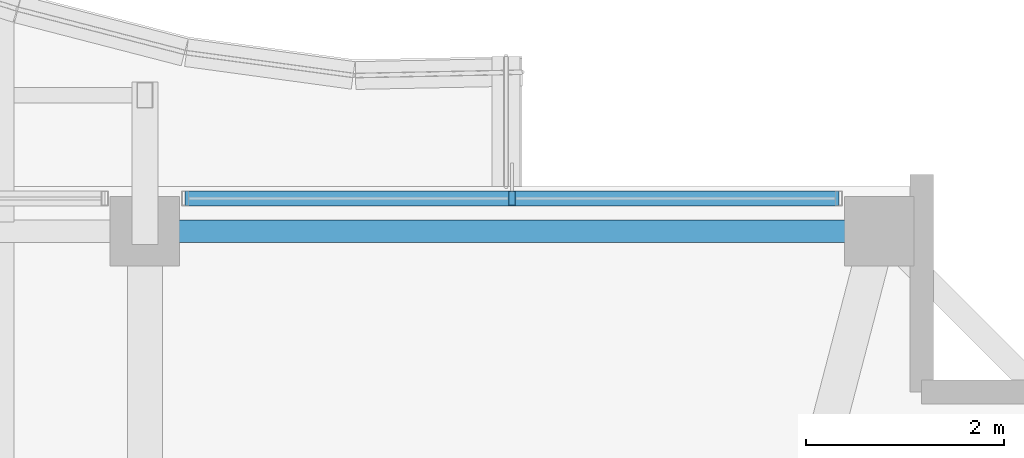
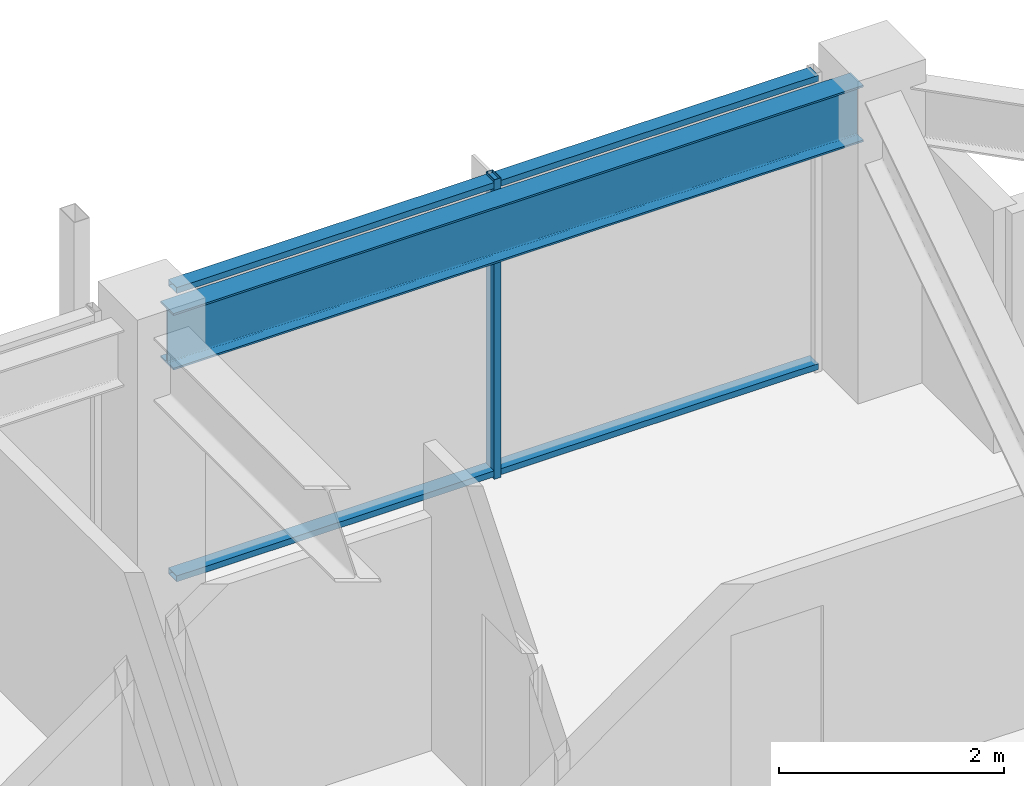
# One storey, part 18 of 34: 3 members, 1 beam, 1 element without a shape of its own.
"""IFC4 building model written with IfcOpenShell, lengths in metres."""

from ifc_helpers import new_model, si_unit, direction, frame, origin, origin_2d, place, context, subcontext, project, spatial, hollow_rectangle, i_section, extrude, material, material_profile, profile_set, type_object, element, aggregate, save


model = new_model("IFC4")

# Units and contexts
model_context = context("Model", 3, precision=1e-05, world=origin(), true_north=direction((0.0, 1.0)))
body_context = subcontext(model_context, "Body", "Model", "MODEL_VIEW")
ifc_project = project(units=[si_unit("LENGTHUNIT", "METRE"), si_unit("AREAUNIT", "SQUARE_METRE"), si_unit("VOLUMEUNIT", "CUBIC_METRE"), si_unit("PLANEANGLEUNIT", "RADIAN"), si_unit("MASSUNIT", "GRAM", prefix="KILO")], contexts=[model_context])

# Site, building, storey
site_placement = place(None, origin())
site = spatial("IfcSite", under=ifc_project, at=site_placement, CompositionType="ELEMENT")
building_placement = place(site_placement, origin())
building = spatial("IfcBuilding", under=site, at=building_placement, Name="Kolvaren Belvedere", CompositionType="ELEMENT")
storey_placement = place(building_placement, frame((0.0, 0.0, 240.89990234375)))
storey = spatial("IfcBuildingStorey", under=building, at=storey_placement, Name="L70", CompositionType="ELEMENT", Elevation=240.89990234375)

# Beam
ifc_material_1 = material(Name="Structural steel ASTM A992 Grade 50", Category="steel")
ifc_material_profile_1 = material_profile(ifc_material_1, i_section(OverallWidth=0.22900390625, OverallDepth=0.612060546875, WebThickness=0.011962890625, FlangeThickness=0.01953125, FilletRadius=0.01806640625, at=origin_2d()), Name="W24X84")
ifc_profile_set_1 = profile_set([ifc_material_profile_1], Name="Structural steel ASTM A992 Grade 50")
beam_type = type_object("IfcBeamType", Name="BM-SPAN-W24X84", PredefinedType="SPANDREL", material=ifc_profile_set_1)
beam_placement = place(storey_placement, frame((11.842529296875, 17.949951171875, 2.944091796875), z_axis=(-1.0, 0.0, 0.0), x_axis=(0.0, -1.0, 0.0)))
element("IfcBeam", 1, at=beam_placement, inside=storey, type_object=beam_type, Name="L70 Perimeter Spandrel N4-N3", PredefinedType="SPANDREL", context=body_context, shape_type="SweptSolid", body=[
    extrude(i_section(OverallWidth=0.22900390625, OverallDepth=0.612060546875, WebThickness=0.011962890625, FlangeThickness=0.01953125, FilletRadius=0.01806640625, at=origin_2d()), origin(), (0.0, 0.0, 1.0), 7.0849609375),
])

# Curtain wall, members
ifc_material_2 = material(Name="Anodised pale-metal aluminium AA 6063-T6", Category="aluminium")
curtain_wall_type = type_object("IfcCurtainWallType", Name="CW-Z5-HIGH", PredefinedType="NOTDEFINED", material=ifc_material_2)
curtain_wall_placement = place(storey_placement, origin())
curtain_wall = element("IfcCurtainWall", 2, at=curtain_wall_placement, inside=storey, type_object=curtain_wall_type, Name="L70 Unitised Curtain Wall FCW-L70-N2-B2", PredefinedType="NOTDEFINED")
ifc_material_3 = material(Name="Anodised pale-metal aluminium AA 6063-T6", Category="aluminium")
ifc_material_profile_2 = material_profile(ifc_material_3, hollow_rectangle(XDim=0.070068359375, YDim=0.14990234375, WallThickness=0.004150390625, at=origin_2d()), Name="ALU-MUL-150X70")
ifc_profile_set_2 = profile_set([ifc_material_profile_2], Name="Anodised pale-metal aluminium AA 6063-T6")
member_type_1 = type_object("IfcMemberType", Name="CW-MUL-150", PredefinedType="MULLION", material=ifc_profile_set_2)
member_1_placement = place(storey_placement, frame((8.300048828125, 18.280029296875, 0.0), z_axis=(0.0, 0.0, 1.0), x_axis=(1.0, 0.0, 0.0)))
member_1 = element("IfcMember", 3, at=member_1_placement, type_object=member_type_1, Name="FCW-L70-N2-B2 Unitised Mullion 2", PredefinedType="MULLION", context=body_context, shape_type="SweptSolid", body=[
    extrude(hollow_rectangle(XDim=0.070068359375, YDim=0.14990234375, WallThickness=0.004150390625, at=origin_2d()), origin(), (0.0, 0.0, 1.0), 3.25),
])
ifc_material_4 = material(Name="Anodised pale-metal aluminium AA 6063-T6", Category="aluminium")
ifc_material_profile_3 = material_profile(ifc_material_4, hollow_rectangle(XDim=0.06494140625, YDim=0.14990234375, WallThickness=0.00390625, at=origin_2d()), Name="ALU-TRN-150X65")
ifc_profile_set_3 = profile_set([ifc_material_profile_3], Name="Anodised pale-metal aluminium AA 6063-T6")
member_type_2 = type_object("IfcMemberType", Name="CW-TRN-150", PredefinedType="USERDEFINED", material=ifc_profile_set_3)
member_2_placement = place(storey_placement, frame((5.0048828125, 18.280029296875, 0.06005859375), z_axis=(1.0, 0.0, 0.0), x_axis=(0.0, 0.0, 1.0)))
member_2 = element("IfcMember", 4, at=member_2_placement, type_object=member_type_2, Name="FCW-L70-N2-B2 Sill Transom", ObjectType="TRANSOM", PredefinedType="USERDEFINED", context=body_context, shape_type="SweptSolid", body=[
    extrude(hollow_rectangle(XDim=0.06494140625, YDim=0.14990234375, WallThickness=0.00390625, at=origin_2d()), origin(), (0.0, 0.0, 1.0), 6.590087890625),
])
member_3_placement = place(storey_placement, frame((5.0048828125, 18.280029296875, 3.190185546875), z_axis=(1.0, 0.0, 0.0), x_axis=(0.0, 0.0, 1.0)))
member_3 = element("IfcMember", 5, at=member_3_placement, type_object=member_type_2, Name="FCW-L70-N2-B2 Head Transom", ObjectType="TRANSOM", PredefinedType="USERDEFINED", context=body_context, shape_type="SweptSolid", body=[
    extrude(hollow_rectangle(XDim=0.06494140625, YDim=0.14990234375, WallThickness=0.00390625, at=origin_2d()), origin(), (0.0, 0.0, 1.0), 6.590087890625),
])
aggregate(curtain_wall, [member_1, member_2, member_3])

save(model, "model.ifc")
